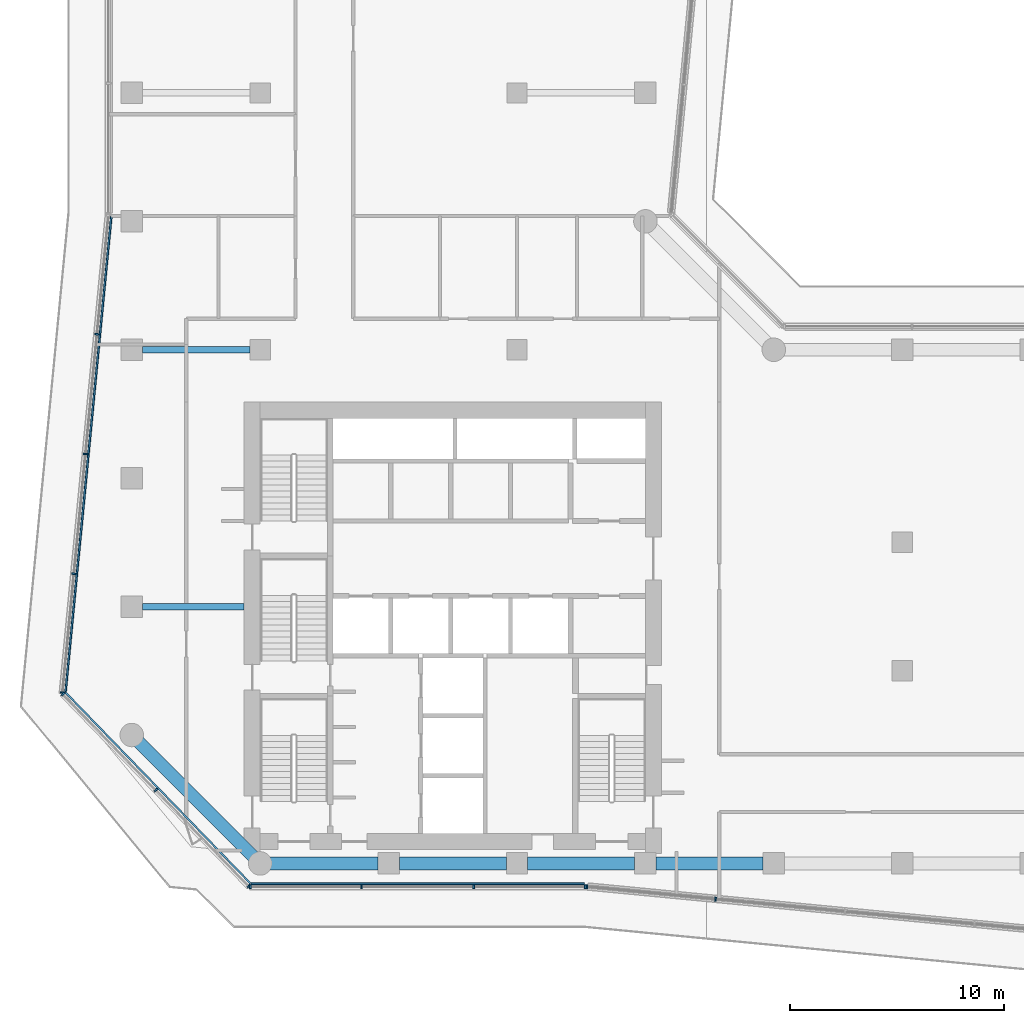
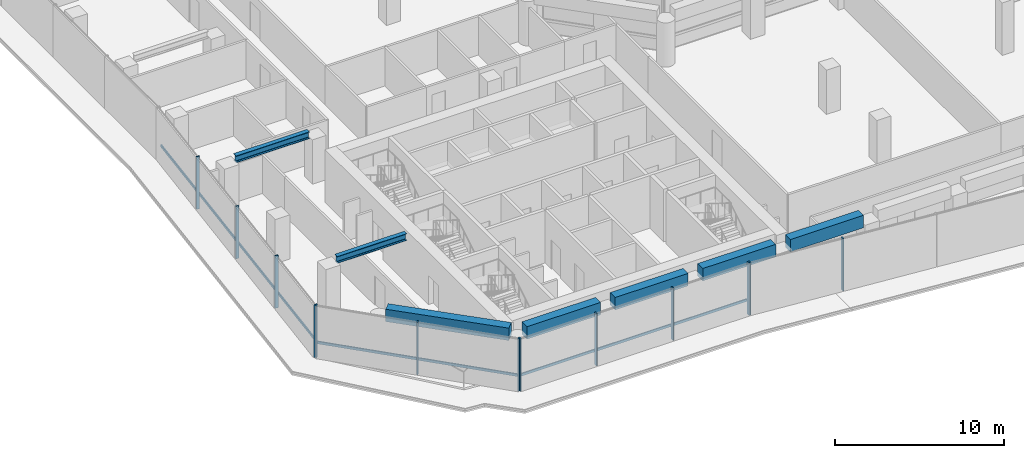
# One storey, part 2 of 12: 16 members, 7 beams, 4 elements without a shape of their own.
"""IFC4 building model written with IfcOpenShell, lengths in metres."""

from ifc_helpers import new_model, si_unit, direction, frame, origin, origin_2d, place, context, subcontext, project, spatial, rectangle, i_section, extrude, material, layer, layer_set, material_profile, profile_set, type_object, element, aggregate, save


model = new_model("IFC4")

# Units and contexts
model_context = context("Model", 3, precision=1e-05, world=origin(), true_north=direction((0.0, 1.0)))
body_context = subcontext(model_context, "Body", "Model", "MODEL_VIEW")
ifc_project = project(units=[si_unit("LENGTHUNIT", "METRE"), si_unit("AREAUNIT", "SQUARE_METRE"), si_unit("VOLUMEUNIT", "CUBIC_METRE"), si_unit("PLANEANGLEUNIT", "RADIAN"), si_unit("MASSUNIT", "GRAM", prefix="KILO")], contexts=[model_context])

# Site, building, storey
site_placement = place(None, origin())
site = spatial("IfcSite", under=ifc_project, at=site_placement, CompositionType="ELEMENT")
building_placement = place(site_placement, origin())
building = spatial("IfcBuilding", under=site, at=building_placement, Name="Welwitschia Terrace Campus", CompositionType="ELEMENT")
storey_placement = place(building_placement, frame((0.0, 0.0, 134.0)))
storey = spatial("IfcBuildingStorey", under=building, at=storey_placement, Name="L30", CompositionType="ELEMENT", Elevation=134.0)

# Curtain wall, members
ifc_material_1 = material(Name="Bronze anodised aluminium", Category="aluminium")
ifc_layer = layer(ifc_material_1, 0.199951171875)
ifc_layer_set = layer_set([ifc_layer], Name="Bronze anodised aluminium")
curtain_wall_type = type_object("IfcCurtainWallType", Name="Curtain wall CW6 plant floor 6000", PredefinedType="NOTDEFINED", material=ifc_layer_set)
curtain_wall_1_placement = place(storey_placement, origin())
curtain_wall_1 = element("IfcCurtainWall", 1, at=curtain_wall_1_placement, inside=storey, type_object=curtain_wall_type, Name="CW L30.0.0", PredefinedType="NOTDEFINED")
ifc_material_2 = material(Name="Bronze anodised aluminium", Category="aluminium")
ifc_material_profile_1 = material_profile(ifc_material_2, rectangle(XDim=0.199951171875, YDim=0.080078125, at=origin_2d()))
ifc_profile_set_1 = profile_set([ifc_material_profile_1], Name="Bronze anodised aluminium")
member_type_1 = type_object("IfcMemberType", Name="Mullion 80x200", PredefinedType="MULLION", material=ifc_profile_set_1)
member_1_placement = place(storey_placement, frame((-1.624755859375, 28.725341796875, 0.0), z_axis=(0.0, 0.0, 1.0), x_axis=(0.995396198367, -0.09584575252, 0.0)))
member_1 = element("IfcMember", 2, at=member_1_placement, type_object=member_type_1, Name="Mullion L30.0.0.1", PredefinedType="MULLION", context=body_context, shape_type="SweptSolid", body=[
    extrude(rectangle(XDim=0.199951171875, YDim=0.080078125, at=origin_2d()), origin(), (0.0, 0.0, 1.0), 3.800048828125),
])
member_2_placement = place(storey_placement, frame((-2.163818359375, 23.129150390625, 0.0), z_axis=(0.0, 0.0, 1.0), x_axis=(0.995396198367, -0.09584575252, 0.0)))
member_2 = element("IfcMember", 3, at=member_2_placement, type_object=member_type_1, Name="Mullion L30.0.0.2", PredefinedType="MULLION", context=body_context, shape_type="SweptSolid", body=[
    extrude(rectangle(XDim=0.199951171875, YDim=0.080078125, at=origin_2d()), origin(), (0.0, 0.0, 1.0), 3.800048828125),
])
member_3_placement = place(storey_placement, frame((-2.70263671875, 17.532958984375, 0.0), z_axis=(0.0, 0.0, 1.0), x_axis=(0.995396198367, -0.09584575252, 0.0)))
member_3 = element("IfcMember", 4, at=member_3_placement, type_object=member_type_1, Name="Mullion L30.0.0.3", PredefinedType="MULLION", context=body_context, shape_type="SweptSolid", body=[
    extrude(rectangle(XDim=0.199951171875, YDim=0.080078125, at=origin_2d()), origin(), (0.0, 0.0, 1.0), 3.800048828125),
])
member_4_placement = place(storey_placement, frame((-3.237548828125, 11.9765625, 0.0), z_axis=(0.0, 0.0, 1.0), x_axis=(0.995396198367, -0.09584575252, 0.0)))
member_4 = element("IfcMember", 5, at=member_4_placement, type_object=member_type_1, Name="Mullion L30.0.0.4", PredefinedType="MULLION", context=body_context, shape_type="SweptSolid", body=[
    extrude(rectangle(XDim=0.199951171875, YDim=0.080078125, at=origin_2d()), origin(), (0.0, 0.0, 1.0), 3.800048828125),
])

curtain_wall_2_placement = place(storey_placement, origin())
curtain_wall_2 = element("IfcCurtainWall", 6, at=curtain_wall_2_placement, inside=storey, type_object=curtain_wall_type, Name="CW L30.1.0", PredefinedType="NOTDEFINED")
member_5_placement = place(storey_placement, frame((-3.213623046875, 11.907958984375, 0.0), z_axis=(0.0, 0.0, 1.0), x_axis=(0.718306377683, 0.695726920407, 0.0)))
member_5 = element("IfcMember", 7, at=member_5_placement, type_object=member_type_1, Name="Mullion L30.1.0.0", PredefinedType="MULLION", context=body_context, shape_type="SweptSolid", body=[
    extrude(rectangle(XDim=0.199951171875, YDim=0.080078125, at=origin_2d()), origin(), (0.0, 0.0, 1.0), 3.800048828125),
])
member_6_placement = place(storey_placement, frame((1.128173828125, 7.42529296875, 0.0), z_axis=(0.0, 0.0, 1.0), x_axis=(0.718306377683, 0.695726920407, 0.0)))
member_6 = element("IfcMember", 8, at=member_6_placement, type_object=member_type_1, Name="Mullion L30.1.0.1", PredefinedType="MULLION", context=body_context, shape_type="SweptSolid", body=[
    extrude(rectangle(XDim=0.199951171875, YDim=0.080078125, at=origin_2d()), origin(), (0.0, 0.0, 1.0), 3.800048828125),
])
member_7_placement = place(storey_placement, frame((5.4697265625, 2.942626953125, 0.0), z_axis=(0.0, 0.0, 1.0), x_axis=(0.718306377683, 0.695726920407, 0.0)))
member_7 = element("IfcMember", 9, at=member_7_placement, type_object=member_type_1, Name="Mullion L30.1.0.2", PredefinedType="MULLION", context=body_context, shape_type="SweptSolid", body=[
    extrude(rectangle(XDim=0.199951171875, YDim=0.080078125, at=origin_2d()), origin(), (0.0, 0.0, 1.0), 3.800048828125),
])

curtain_wall_3_placement = place(storey_placement, origin())
curtain_wall_3 = element("IfcCurtainWall", 10, at=curtain_wall_3_placement, inside=storey, type_object=curtain_wall_type, Name="CW L30.2.0", PredefinedType="NOTDEFINED")
member_8_placement = place(storey_placement, frame((5.53759765625, 2.9140625, 0.0), z_axis=(0.0, 0.0, 1.0), x_axis=(0.0, 1.0, 0.0)))
member_8 = element("IfcMember", 11, at=member_8_placement, type_object=member_type_1, Name="Mullion L30.2.0.0", PredefinedType="MULLION", context=body_context, shape_type="SweptSolid", body=[
    extrude(rectangle(XDim=0.199951171875, YDim=0.080078125, at=origin_2d()), origin(), (0.0, 0.0, 1.0), 3.800048828125),
])
member_9_placement = place(storey_placement, frame((10.740234375, 2.9140625, 0.0), z_axis=(0.0, 0.0, 1.0), x_axis=(0.0, 1.0, 0.0)))
member_9 = element("IfcMember", 12, at=member_9_placement, type_object=member_type_1, Name="Mullion L30.2.0.1", PredefinedType="MULLION", context=body_context, shape_type="SweptSolid", body=[
    extrude(rectangle(XDim=0.199951171875, YDim=0.080078125, at=origin_2d()), origin(), (0.0, 0.0, 1.0), 3.800048828125),
])
member_10_placement = place(storey_placement, frame((15.982666015625, 2.9140625, 0.0), z_axis=(0.0, 0.0, 1.0), x_axis=(0.0, 1.0, 0.0)))
member_10 = element("IfcMember", 13, at=member_10_placement, type_object=member_type_1, Name="Mullion L30.2.0.2", PredefinedType="MULLION", context=body_context, shape_type="SweptSolid", body=[
    extrude(rectangle(XDim=0.199951171875, YDim=0.080078125, at=origin_2d()), origin(), (0.0, 0.0, 1.0), 3.800048828125),
])
member_11_placement = place(storey_placement, frame((21.18505859375, 2.9140625, 0.0), z_axis=(0.0, 0.0, 1.0), x_axis=(0.0, 1.0, 0.0)))
member_11 = element("IfcMember", 14, at=member_11_placement, type_object=member_type_1, Name="Mullion L30.2.0.3", PredefinedType="MULLION", context=body_context, shape_type="SweptSolid", body=[
    extrude(rectangle(XDim=0.199951171875, YDim=0.080078125, at=origin_2d()), origin(), (0.0, 0.0, 1.0), 3.800048828125),
])

curtain_wall_4_placement = place(storey_placement, origin())
curtain_wall_4 = element("IfcCurtainWall", 15, at=curtain_wall_4_placement, inside=storey, type_object=curtain_wall_type, Name="CW L30.3.0", PredefinedType="NOTDEFINED")
member_12_placement = place(storey_placement, frame((21.264892578125, 2.91015625, 0.0), z_axis=(0.0, 0.0, 1.0), x_axis=(0.09584575252, 0.995396198367, 0.0)))
member_12 = element("IfcMember", 16, at=member_12_placement, type_object=member_type_1, Name="Mullion L30.3.0.0", PredefinedType="MULLION", context=body_context, shape_type="SweptSolid", body=[
    extrude(rectangle(XDim=0.199951171875, YDim=0.080078125, at=origin_2d()), origin(), (0.0, 0.0, 1.0), 3.800048828125),
])
member_13_placement = place(storey_placement, frame((27.2763671875, 2.331298828125, 0.0), z_axis=(0.0, 0.0, 1.0), x_axis=(0.09584575252, 0.995396198367, 0.0)))
member_13 = element("IfcMember", 17, at=member_13_placement, type_object=member_type_1, Name="Mullion L30.3.0.1", PredefinedType="MULLION", context=body_context, shape_type="SweptSolid", body=[
    extrude(rectangle(XDim=0.199951171875, YDim=0.080078125, at=origin_2d()), origin(), (0.0, 0.0, 1.0), 3.800048828125),
])
aggregate(curtain_wall_4, [member_12, member_13])

# Beams
ifc_material_3 = material(Name="Steel S355", Category="steel")
ifc_material_profile_2 = material_profile(ifc_material_3, i_section(OverallWidth=0.300048828125, OverallDepth=0.5, WebThickness=0.014404296875, FlangeThickness=0.028076171875, FilletRadius=0.027099609375, at=origin_2d()))
ifc_profile_set_2 = profile_set([ifc_material_profile_2], Name="Steel S355")
beam_type_1 = type_object("IfcBeamType", Name="Primary beam HE 500 B", PredefinedType="BEAM", material=ifc_profile_set_2)
beam_1_placement = place(storey_placement, frame((0.50048828125, 28.0, 3.35009765625), z_axis=(1.0, 0.0, 0.0), x_axis=(0.0, 1.0, 0.0)))
element("IfcBeam", 18, at=beam_1_placement, inside=storey, type_object=beam_type_1, Name="Primary beam PB3", PredefinedType="BEAM", context=body_context, shape_type="SweptSolid", body=[
    extrude(i_section(OverallWidth=0.300048828125, OverallDepth=0.5, WebThickness=0.014404296875, FlangeThickness=0.028076171875, FilletRadius=0.027099609375, at=origin_2d()), origin(), (0.0, 0.0, 1.0), 5.02392578125),
])
beam_2_placement = place(storey_placement, frame((0.50048828125, 16.0, 3.35009765625), z_axis=(1.0, 0.0, 0.0), x_axis=(0.0, 1.0, 0.0)))
element("IfcBeam", 19, at=beam_2_placement, inside=storey, type_object=beam_type_1, Name="Primary beam PB3", PredefinedType="BEAM", context=body_context, shape_type="SweptSolid", body=[
    extrude(i_section(OverallWidth=0.300048828125, OverallDepth=0.5, WebThickness=0.014404296875, FlangeThickness=0.028076171875, FilletRadius=0.027099609375, at=origin_2d()), origin(), (0.0, 0.0, 1.0), 4.74951171875),
])
ifc_material_4 = material(Name="Concrete C60/75", Category="concrete")
ifc_material_profile_3 = material_profile(ifc_material_4, rectangle(XDim=0.60009765625, YDim=0.89990234375, at=origin_2d()))
ifc_profile_set_3 = profile_set([ifc_material_profile_3], Name="Concrete C60/75")
beam_type_2 = type_object("IfcBeamType", Name="Ring spandrel 600x900", PredefinedType="SPANDREL", material=ifc_profile_set_3)
beam_3_placement = place(storey_placement, frame((0.326416015625, 9.673583984375, 3.35009765625), z_axis=(0.707106781187, -0.707106781187, 0.0), x_axis=(0.707106781187, 0.707106781187, 0.0)))
element("IfcBeam", 20, at=beam_3_placement, inside=storey, type_object=beam_type_2, Name="Spandrel SP2", PredefinedType="SPANDREL", context=body_context, shape_type="SweptSolid", body=[
    extrude(rectangle(XDim=0.60009765625, YDim=0.89990234375, at=origin_2d()), origin(), (0.0, 0.0, 1.0), 7.56201171875),
])
beam_4_placement = place(storey_placement, frame((6.46142578125, 4.0, 3.35009765625), z_axis=(1.0, 0.0, 0.0), x_axis=(0.0, 1.0, 0.0)))
element("IfcBeam", 21, at=beam_4_placement, inside=storey, type_object=beam_type_2, Name="Spandrel SP2", PredefinedType="SPANDREL", context=body_context, shape_type="SweptSolid", body=[
    extrude(rectangle(XDim=0.60009765625, YDim=0.89990234375, at=origin_2d()), origin(), (0.0, 0.0, 1.0), 5.0380859375),
])
for number, where, z_axis, x_axis, name in (
    (22, (12.50048828125, 4.0, 3.35009765625), (1.0, 0.0, 0.0), (0.0, 1.0, 0.0), "Spandrel SP2"),
    (23, (18.50048828125, 4.0, 3.35009765625), (1.0, 0.0, 0.0), (0.0, 1.0, 0.0), "Spandrel SP2"),
    (24, (24.50048828125, 4.0, 3.35009765625), (1.0, 0.0, 0.0), (0.0, 1.0, 0.0), "Spandrel SP2"),
):
    element("IfcBeam", number, at=place(storey_placement, frame(where, z_axis=z_axis, x_axis=x_axis)), inside=storey, type_object=beam_type_2, Name=name, PredefinedType="SPANDREL", context=body_context, shape_type="SweptSolid", body=[
        extrude(rectangle(XDim=0.60009765625, YDim=0.89990234375, at=origin_2d()), origin(), (0.0, 0.0, 1.0), 4.9990234375),
    ])

# Member
ifc_material_5 = material(Name="Bronze anodised aluminium", Category="aluminium")
ifc_material_profile_4 = material_profile(ifc_material_5, rectangle(XDim=0.080078125, YDim=0.179931640625, at=origin_2d()))
ifc_profile_set_4 = profile_set([ifc_material_profile_4], Name="Bronze anodised aluminium")
member_type_2 = type_object("IfcMemberType", Name="Transom 80x180", PredefinedType="USERDEFINED", material=ifc_profile_set_4)
member_14_placement = place(storey_placement, frame((-0.954345703125, 34.228759765625, 1.0), z_axis=(-0.095847203338, -0.995396058668, 0.0), x_axis=(0.995396058668, -0.095847203338, 0.0)))
member_14 = element("IfcMember", 25, at=member_14_placement, type_object=member_type_2, Name="Transom L30.0.0", ObjectType="TRANSOM", PredefinedType="USERDEFINED", context=body_context, shape_type="SweptSolid", body=[
    extrude(rectangle(XDim=0.080078125, YDim=0.179931640625, at=origin_2d()), origin(), (0.0, 0.0, 1.0), 22.32861328125),
])

aggregate(curtain_wall_1, [member_1, member_2, member_3, member_4, member_14])

member_15_placement = place(storey_placement, frame((-3.085205078125, 11.9765625, 1.0), z_axis=(0.69572602473, -0.718307245205, 0.0), x_axis=(0.718307245205, 0.69572602473, 0.0)))
member_15 = element("IfcMember", 26, at=member_15_placement, type_object=member_type_2, Name="Transom L30.1.0", ObjectType="TRANSOM", PredefinedType="USERDEFINED", context=body_context, shape_type="SweptSolid", body=[
    extrude(rectangle(XDim=0.080078125, YDim=0.179931640625, at=origin_2d()), origin(), (0.0, 0.0, 1.0), 12.40087890625),
])

aggregate(curtain_wall_2, [member_5, member_6, member_7, member_15])

member_16_placement = place(storey_placement, frame((5.57763671875, 3.053955078125, 1.0), z_axis=(1.0, 0.0, 0.0), x_axis=(0.0, 1.0, 0.0)))
member_16 = element("IfcMember", 27, at=member_16_placement, type_object=member_type_2, Name="Transom L30.2.0", ObjectType="TRANSOM", PredefinedType="USERDEFINED", context=body_context, shape_type="SweptSolid", body=[
    extrude(rectangle(XDim=0.080078125, YDim=0.179931640625, at=origin_2d()), origin(), (0.0, 0.0, 1.0), 15.5673828125),
])

aggregate(curtain_wall_3, [member_8, member_9, member_10, member_11, member_16])

save(model, "model.ifc")
